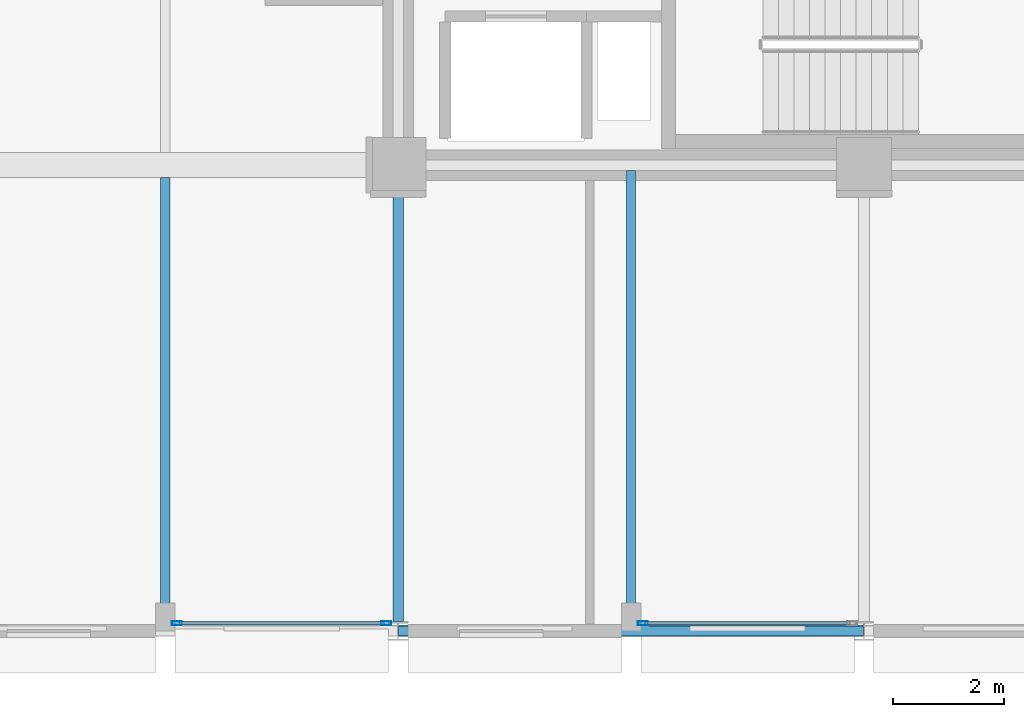
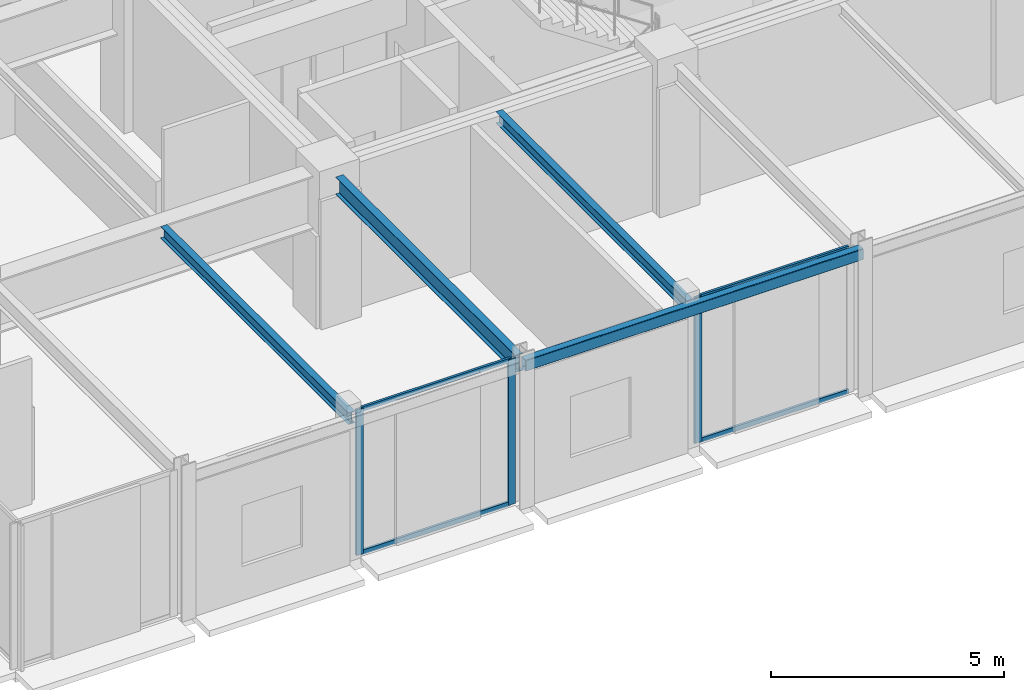
# One storey, part 6 of 30: 7 members, 4 beams, 2 elements without a shape of their own.
"""IFC4 building model written with IfcOpenShell, lengths in metres."""

from ifc_helpers import new_model, si_unit, direction, frame, origin, origin_2d, place, context, subcontext, project, spatial, hollow_rectangle, i_section, extrude, material, layer, layer_set, material_profile, profile_set, type_object, element, aggregate, save


model = new_model("IFC4")

# Units and contexts
model_context = context("Model", 3, precision=1e-05, world=origin(), true_north=direction((0.0, 1.0)))
body_context = subcontext(model_context, "Body", "Model", "MODEL_VIEW")
ifc_project = project(units=[si_unit("LENGTHUNIT", "METRE"), si_unit("AREAUNIT", "SQUARE_METRE"), si_unit("VOLUMEUNIT", "CUBIC_METRE"), si_unit("PLANEANGLEUNIT", "RADIAN"), si_unit("MASSUNIT", "GRAM", prefix="KILO")], contexts=[model_context])

# Site, building, storey
site_placement = place(None, origin())
site = spatial("IfcSite", under=ifc_project, at=site_placement, CompositionType="ELEMENT")
building_placement = place(site_placement, origin())
building = spatial("IfcBuilding", under=site, at=building_placement, Name="Nerrivon Quay Data Exchange", CompositionType="ELEMENT")
storey_placement = place(building_placement, frame((0.0, 0.0, 167.300048828125)))
storey = spatial("IfcBuildingStorey", under=building, at=storey_placement, Name="L39", CompositionType="ELEMENT", Elevation=167.300048828125)

# Beams
ifc_material_1 = material(Name="Steel Grade 350", Category="steel")
ifc_material_profile_1 = material_profile(ifc_material_1, i_section(OverallWidth=0.18994140625, OverallDepth=0.4541015625, WebThickness=0.008544921875, FlangeThickness=0.0126953125, FilletRadius=0.011474609375, at=origin_2d()), Name="460UB67.1")
ifc_profile_set_1 = profile_set([ifc_material_profile_1], Name="Steel Grade 350")
beam_type_1 = type_object("IfcBeamType", Name="BM-G6-460UB67", PredefinedType="BEAM", material=ifc_profile_set_1)
beam_1_placement = place(storey_placement, frame((16.800048828125, 0.175048828125, 3.597900390625), z_axis=(0.0, 1.0, 0.0), x_axis=(-1.0, 0.0, 0.0)))
element("IfcBeam", 1, at=beam_1_placement, inside=storey, type_object=beam_type_1, Name="L39 NS Girder X=16.8 (0.0..8.4)", PredefinedType="BEAM", context=body_context, shape_type="SweptSolid", body=[
    extrude(i_section(OverallWidth=0.18994140625, OverallDepth=0.4541015625, WebThickness=0.008544921875, FlangeThickness=0.0126953125, FilletRadius=0.011474609375, at=origin_2d()), origin(), (0.0, 0.0, 1.0), 7.724853515625),
])
ifc_material_profile_2 = material_profile(ifc_material_1, i_section(OverallWidth=0.166015625, OverallDepth=0.306884765625, WebThickness=0.006591796875, FlangeThickness=0.01171875, FilletRadius=0.011474609375, at=origin_2d()), Name="310UB46.2")
ifc_profile_set_2 = profile_set([ifc_material_profile_2], Name="Steel Grade 350")
beam_type_2 = type_object("IfcBeamType", Name="BM-J5-310UB46", PredefinedType="JOIST", material=ifc_profile_set_2)
beam_2_placement = place(storey_placement, frame((12.60009765625, 0.10009765625, 3.67138671875), z_axis=(0.0, 1.0, 0.0), x_axis=(-1.0, 0.0, 0.0)))
element("IfcBeam", 2, at=beam_2_placement, inside=storey, type_object=beam_type_2, Name="L39 Secondary Joist X=12.6 (0.0..8.4)", PredefinedType="JOIST", context=body_context, shape_type="SweptSolid", body=[
    extrude(i_section(OverallWidth=0.166015625, OverallDepth=0.306884765625, WebThickness=0.006591796875, FlangeThickness=0.01171875, FilletRadius=0.011474609375, at=origin_2d()), origin(), (0.0, 0.0, 1.0), 8.074951171875),
])
beam_3_placement = place(storey_placement, frame((21.0, 0.10009765625, 3.67138671875), z_axis=(0.0, 1.0, 0.0), x_axis=(-1.0, 0.0, 0.0)))
element("IfcBeam", 3, at=beam_3_placement, inside=storey, type_object=beam_type_2, Name="L39 Secondary Joist X=21.0 (0.0..8.4)", PredefinedType="JOIST", context=body_context, shape_type="SweptSolid", body=[
    extrude(i_section(OverallWidth=0.166015625, OverallDepth=0.306884765625, WebThickness=0.006591796875, FlangeThickness=0.01171875, FilletRadius=0.011474609375, at=origin_2d()), origin(), (0.0, 0.0, 1.0), 8.204345703125),
])
ifc_material_2 = material(Name="Steel Grade C350L0 (350 MPa)", Category="steel")
ifc_material_profile_3 = material_profile(ifc_material_2, hollow_rectangle(XDim=0.199951171875, YDim=0.300048828125, WallThickness=0.012451171875, InnerFilletRadius=0.018798828125, OuterFilletRadius=0.03125, at=origin_2d()), Name="300x200x12.5RHS")
ifc_profile_set_3 = profile_set([ifc_material_profile_3], Name="Steel Grade C350L0 (350 MPa)")
beam_type_3 = type_object("IfcBeamType", Name="BM-SP3-300x200RHS", PredefinedType="SPANDREL", material=ifc_profile_set_3)
beam_4_placement = place(storey_placement, frame((16.81005859375, 0.0, 3.675048828125), z_axis=(1.0, 0.0, 0.0), x_axis=(0.0, 1.0, 0.0)))
element("IfcBeam", 4, at=beam_4_placement, inside=storey, type_object=beam_type_3, Name="L39 EW Girder Y=0.0 (16.8..25.2)", PredefinedType="SPANDREL", context=body_context, shape_type="SweptSolid", body=[
    extrude(hollow_rectangle(XDim=0.199951171875, YDim=0.300048828125, WallThickness=0.012451171875, InnerFilletRadius=0.018798828125, OuterFilletRadius=0.03125, at=origin_2d()), origin(), (0.0, 0.0, 1.0), 8.3798828125),
])

# Curtain wall, member
ifc_material_3 = material(Name="Anodised aluminium 6063-T6", Category="aluminium")
ifc_layer = layer(ifc_material_3, 0.195068359375)
ifc_layer_set = layer_set([ifc_layer], Name="Anodised aluminium 6063-T6")
curtain_wall_type = type_object("IfcCurtainWallType", Name="CW-SYS-06", PredefinedType="NOTDEFINED", material=ifc_layer_set)
curtain_wall_1_placement = place(storey_placement, origin())
curtain_wall_1 = element("IfcCurtainWall", 5, at=curtain_wall_1_placement, inside=storey, type_object=curtain_wall_type, Name="L39 Unitised Curtain Wall 4", PredefinedType="NOTDEFINED")
ifc_material_profile_4 = material_profile(ifc_material_3, hollow_rectangle(XDim=0.06494140625, YDim=0.179931640625, WallThickness=0.00341796875, at=origin_2d()), Name="ALU-MULL-180x65")
ifc_profile_set_4 = profile_set([ifc_material_profile_4], Name="Anodised aluminium 6063-T6")
member_type_1 = type_object("IfcMemberType", Name="CWM-180x65", PredefinedType="MULLION", material=ifc_profile_set_4)
member_1_placement = place(storey_placement, frame((21.21240234375, 0.139892578125, 0.0), z_axis=(0.0, 0.0, 1.0), x_axis=(0.0, -1.0, 0.0)))
member_1 = element("IfcMember", 6, at=member_1_placement, type_object=member_type_1, Name="CW06 mullion 2", PredefinedType="MULLION", context=body_context, shape_type="SweptSolid", body=[
    extrude(hollow_rectangle(XDim=0.06494140625, YDim=0.179931640625, WallThickness=0.00341796875, at=origin_2d()), origin(), (0.0, 0.0, 1.0), 3.824951171875),
])

# Curtain wall, members
curtain_wall_2_placement = place(storey_placement, origin())
curtain_wall_2 = element("IfcCurtainWall", 7, at=curtain_wall_2_placement, inside=storey, type_object=curtain_wall_type, Name="L39 Unitised Curtain Wall 6", PredefinedType="NOTDEFINED")
member_2_placement = place(storey_placement, frame((16.58740234375, 0.139892578125, 0.0), z_axis=(0.0, 0.0, 1.0), x_axis=(0.0, -1.0, 0.0)))
member_2 = element("IfcMember", 8, at=member_2_placement, type_object=member_type_1, Name="CW06 mullion 1", PredefinedType="MULLION", context=body_context, shape_type="SweptSolid", body=[
    extrude(hollow_rectangle(XDim=0.06494140625, YDim=0.179931640625, WallThickness=0.00341796875, at=origin_2d()), origin(), (0.0, 0.0, 1.0), 3.824951171875),
])
member_3_placement = place(storey_placement, frame((12.8125, 0.139892578125, 0.0), z_axis=(0.0, 0.0, 1.0), x_axis=(0.0, -1.0, 0.0)))
member_3 = element("IfcMember", 9, at=member_3_placement, type_object=member_type_1, Name="CW06 mullion 2", PredefinedType="MULLION", context=body_context, shape_type="SweptSolid", body=[
    extrude(hollow_rectangle(XDim=0.06494140625, YDim=0.179931640625, WallThickness=0.00341796875, at=origin_2d()), origin(), (0.0, 0.0, 1.0), 3.824951171875),
])

# Member
ifc_material_profile_5 = material_profile(ifc_material_3, hollow_rectangle(XDim=0.06005859375, YDim=0.1201171875, WallThickness=0.003173828125, at=origin_2d()), Name="ALU-TRAN-120x60")
ifc_profile_set_5 = profile_set([ifc_material_profile_5], Name="Anodised aluminium 6063-T6")
member_type_2 = type_object("IfcMemberType", Name="CWT-120x60", PredefinedType="USERDEFINED", material=ifc_profile_set_5)
member_4_placement = place(storey_placement, frame((24.949951171875, 0.139892578125, 0.032470703125), z_axis=(-1.0, 0.0, 0.0), x_axis=(0.0, -1.0, 0.0)))
member_4 = element("IfcMember", 10, at=member_4_placement, type_object=member_type_2, Name="CW06 transom 1.1", ObjectType="TRANSOM", PredefinedType="USERDEFINED", context=body_context, shape_type="SweptSolid", body=[
    extrude(hollow_rectangle(XDim=0.06005859375, YDim=0.1201171875, WallThickness=0.003173828125, at=origin_2d()), origin(), (0.0, 0.0, 1.0), 3.699951171875),
])

member_5_placement = place(storey_placement, frame((24.949951171875, 0.139892578125, 3.79248046875), z_axis=(-1.0, 0.0, 0.0), x_axis=(0.0, -1.0, 0.0)))
member_5 = element("IfcMember", 11, at=member_5_placement, type_object=member_type_2, Name="CW06 transom 1.2", ObjectType="TRANSOM", PredefinedType="USERDEFINED", context=body_context, shape_type="SweptSolid", body=[
    extrude(hollow_rectangle(XDim=0.06005859375, YDim=0.1201171875, WallThickness=0.003173828125, at=origin_2d()), origin(), (0.0, 0.0, 1.0), 3.699951171875),
])

aggregate(curtain_wall_1, [member_1, member_4, member_5])

member_6_placement = place(storey_placement, frame((16.550048828125, 0.139892578125, 0.032470703125), z_axis=(-1.0, 0.0, 0.0), x_axis=(0.0, -1.0, 0.0)))
member_6 = element("IfcMember", 12, at=member_6_placement, type_object=member_type_2, Name="CW06 transom 1.1", ObjectType="TRANSOM", PredefinedType="USERDEFINED", context=body_context, shape_type="SweptSolid", body=[
    extrude(hollow_rectangle(XDim=0.06005859375, YDim=0.1201171875, WallThickness=0.003173828125, at=origin_2d()), origin(), (0.0, 0.0, 1.0), 3.699951171875),
])

member_7_placement = place(storey_placement, frame((16.550048828125, 0.139892578125, 3.79248046875), z_axis=(-1.0, 0.0, 0.0), x_axis=(0.0, -1.0, 0.0)))
member_7 = element("IfcMember", 13, at=member_7_placement, type_object=member_type_2, Name="CW06 transom 1.2", ObjectType="TRANSOM", PredefinedType="USERDEFINED", context=body_context, shape_type="SweptSolid", body=[
    extrude(hollow_rectangle(XDim=0.06005859375, YDim=0.1201171875, WallThickness=0.003173828125, at=origin_2d()), origin(), (0.0, 0.0, 1.0), 3.699951171875),
])

aggregate(curtain_wall_2, [member_2, member_3, member_6, member_7])

save(model, "model.ifc")
